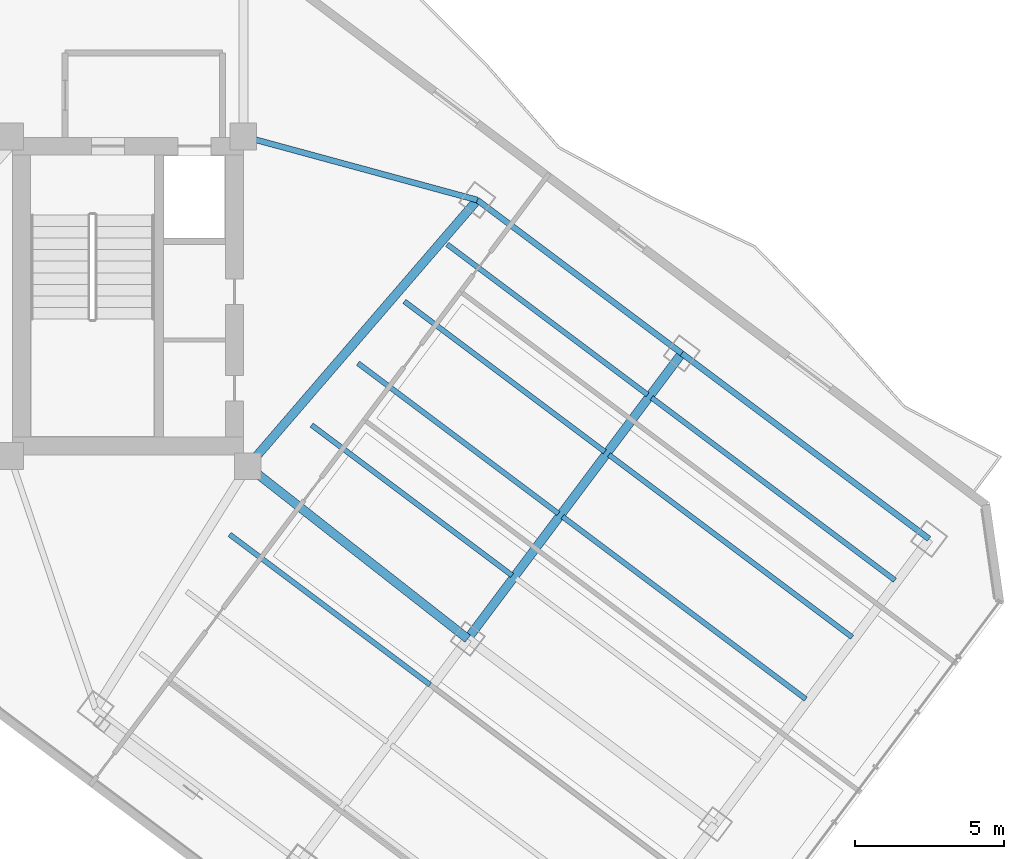
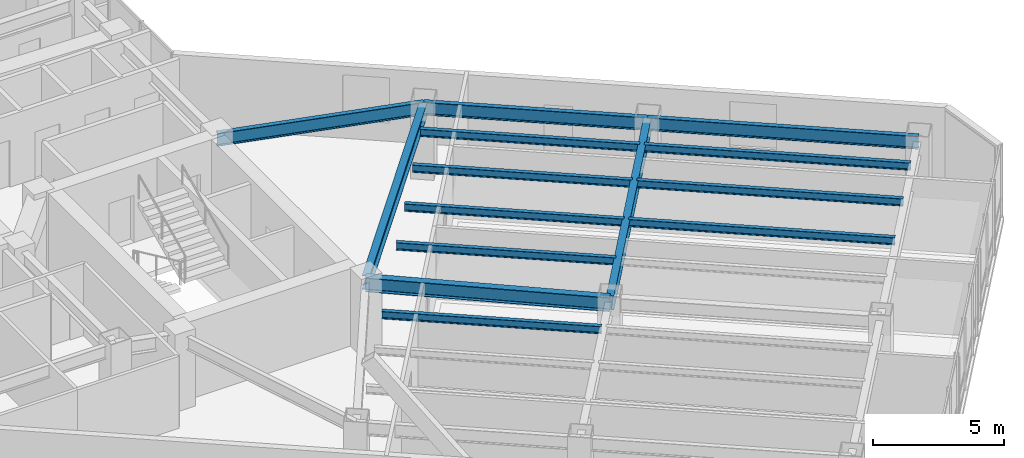
# One storey, part 11 of 31: 14 beams.
"""IFC4 building model written with IfcOpenShell, lengths in metres."""

from ifc_helpers import new_model, si_unit, direction, frame, origin, origin_2d, place, context, subcontext, project, spatial, i_section, extrude, material, material_profile, profile_set, type_object, element, save


model = new_model("IFC4")

# Units and contexts
model_context = context("Model", 3, precision=1e-05, world=origin(), true_north=direction((0.0, 1.0)))
body_context = subcontext(model_context, "Body", "Model", "MODEL_VIEW")
ifc_project = project(units=[si_unit("LENGTHUNIT", "METRE"), si_unit("AREAUNIT", "SQUARE_METRE"), si_unit("VOLUMEUNIT", "CUBIC_METRE"), si_unit("PLANEANGLEUNIT", "RADIAN"), si_unit("MASSUNIT", "GRAM", prefix="KILO")], contexts=[model_context])

# Site, building, storey
site_placement = place(None, origin())
site = spatial("IfcSite", under=ifc_project, at=site_placement, CompositionType="ELEMENT")
building_placement = place(site_placement, origin())
building = spatial("IfcBuilding", under=site, at=building_placement, Name="Hatsunagi Terrace Concourse", CompositionType="ELEMENT")
storey_placement = place(building_placement, frame((0.0, 0.0, 122.85009765625)))
storey = spatial("IfcBuildingStorey", under=building, at=storey_placement, Name="L32", CompositionType="ELEMENT", Elevation=122.85009765625)

# Beams
ifc_material_1 = material(Name="Steel SN490B", Category="steel")
ifc_material_profile_1 = material_profile(ifc_material_1, i_section(OverallWidth=0.175048828125, OverallDepth=0.35009765625, WebThickness=0.007080078125, FlangeThickness=0.010986328125, FilletRadius=0.012939453125, at=origin_2d()), Name="H-350x175x7x11")
ifc_profile_set_1 = profile_set([ifc_material_profile_1], Name="Steel SN490B")
beam_type_1 = type_object("IfcBeamType", Name="HotelJoist_H_350x175", PredefinedType="JOIST", material=ifc_profile_set_1)
for number, where, z_axis, x_axis, name in (
    (1, (43.18798828125, 21.908935546875, 3.1748046875), (0.800003475366, -0.59999536615, 0.0), (0.59999536615, 0.800003475366, 0.0), "Beam J-02 J-L32-SE-2-96"),
    (2, (45.947998046875, 25.589111328125, 3.1748046875), (0.799989573921, -0.600013901187, 0.0), (0.600013901187, 0.799989573921, 0.0), "Beam J-02 J-L32-SE-2-142"),
    (3, (47.508056640625, 27.6689453125, 3.1748046875), (0.800003475366, -0.59999536615, 0.0), (0.59999536615, 0.800003475366, 0.0), "Beam J-02 J-L32-SE-2-168"),
    (4, (49.068115234375, 29.7490234375, 3.1748046875), (0.799989573921, -0.600013901187, 0.0), (0.600013901187, 0.799989573921, 0.0), "Beam J-02 J-L32-SE-2-194"),
    (5, (50.508056640625, 31.6689453125, 3.1748046875), (0.800003475366, -0.59999536615, 0.0), (0.59999536615, 0.800003475366, 0.0), "Beam J-02 J-L32-SE-2-218"),
):
    element("IfcBeam", number, at=place(storey_placement, frame(where, z_axis=z_axis, x_axis=x_axis)), inside=storey, type_object=beam_type_1, Name=name, PredefinedType="JOIST", context=body_context, shape_type="SweptSolid", body=[
        extrude(i_section(OverallWidth=0.175048828125, OverallDepth=0.35009765625, WebThickness=0.007080078125, FlangeThickness=0.010986328125, FilletRadius=0.012939453125, at=origin_2d()), origin(), (0.0, 0.0, 1.0), 8.429931640625),
    ])
beam_1_placement = place(storey_placement, frame((54.387939453125, 22.509033203125, 3.1748046875), z_axis=(0.800005727586, -0.599992363142, 0.0), x_axis=(0.599992363142, 0.800005727586, 0.0)))
element("IfcBeam", 6, at=beam_1_placement, inside=storey, type_object=beam_type_1, Name="Beam J-02 J-L32-SE-3-168", PredefinedType="JOIST", context=body_context, shape_type="SweptSolid", body=[
    extrude(i_section(OverallWidth=0.175048828125, OverallDepth=0.35009765625, WebThickness=0.007080078125, FlangeThickness=0.010986328125, FilletRadius=0.012939453125, at=origin_2d()), origin(), (0.0, 0.0, 1.0), 10.22998046875),
])
beam_2_placement = place(storey_placement, frame((55.947998046875, 24.589111328125, 3.1748046875), z_axis=(0.799994272423, -0.600007636694, 0.0), x_axis=(0.600007636694, 0.799994272423, 0.0)))
element("IfcBeam", 7, at=beam_2_placement, inside=storey, type_object=beam_type_1, Name="Beam J-02 J-L32-SE-3-194", PredefinedType="JOIST", context=body_context, shape_type="SweptSolid", body=[
    extrude(i_section(OverallWidth=0.175048828125, OverallDepth=0.35009765625, WebThickness=0.007080078125, FlangeThickness=0.010986328125, FilletRadius=0.012939453125, at=origin_2d()), origin(), (0.0, 0.0, 1.0), 10.230224609375),
])
beam_3_placement = place(storey_placement, frame((57.387939453125, 26.509033203125, 3.1748046875), z_axis=(0.800005727586, -0.599992363142, 0.0), x_axis=(0.599992363142, 0.800005727586, 0.0)))
element("IfcBeam", 8, at=beam_3_placement, inside=storey, type_object=beam_type_1, Name="Beam J-02 J-L32-SE-3-218", PredefinedType="JOIST", context=body_context, shape_type="SweptSolid", body=[
    extrude(i_section(OverallWidth=0.175048828125, OverallDepth=0.35009765625, WebThickness=0.007080078125, FlangeThickness=0.010986328125, FilletRadius=0.012939453125, at=origin_2d()), origin(), (0.0, 0.0, 1.0), 10.22998046875),
])
ifc_material_2 = material(Name="Steel SN490B", Category="steel")
ifc_material_profile_2 = material_profile(ifc_material_2, i_section(OverallWidth=0.300048828125, OverallDepth=0.64990234375, WebThickness=0.012939453125, FlangeThickness=0.02197265625, FilletRadius=0.01806640625, at=origin_2d()), Name="H-650x300x13x22")
ifc_profile_set_2 = profile_set([ifc_material_profile_2], Name="Steel SN490B")
beam_type_2 = type_object("IfcBeamType", Name="OfficeLowGirder_H_650x300", PredefinedType="BEAM", material=ifc_profile_set_2)
beam_4_placement = place(storey_placement, frame((43.800048828125, 24.199951171875, 3.02490234375), z_axis=(0.652739101421, 0.757582777969, 0.0), x_axis=(-0.757582777969, 0.652739101421, 0.0)))
element("IfcBeam", 9, at=beam_4_placement, inside=storey, type_object=beam_type_2, Name="Beam G-05 BM-L32-SET-1B", PredefinedType="BEAM", context=body_context, shape_type="SweptSolid", body=[
    extrude(i_section(OverallWidth=0.300048828125, OverallDepth=0.64990234375, WebThickness=0.012939453125, FlangeThickness=0.02197265625, FilletRadius=0.01806640625, at=origin_2d()), origin(), (0.0, 0.0, 1.0), 11.8271484375),
])
beam_5_placement = place(storey_placement, frame((43.800048828125, 24.199951171875, 3.02490234375), z_axis=(0.787049441068, -0.616889923175, 0.0), x_axis=(0.616889923175, 0.787049441068, 0.0)))
element("IfcBeam", 10, at=beam_5_placement, inside=storey, type_object=beam_type_2, Name="Beam G-05 BM-L32-SE-M2", PredefinedType="BEAM", context=body_context, shape_type="SweptSolid", body=[
    extrude(i_section(OverallWidth=0.300048828125, OverallDepth=0.64990234375, WebThickness=0.012939453125, FlangeThickness=0.02197265625, FilletRadius=0.01806640625, at=origin_2d()), origin(), (0.0, 0.0, 1.0), 9.402099609375),
])
beam_6_placement = place(storey_placement, frame((51.199951171875, 18.39990234375, 3.02490234375), z_axis=(0.59999348959, 0.800004882766, 0.0), x_axis=(-0.800004882766, 0.59999348959, 0.0)))
element("IfcBeam", 11, at=beam_6_placement, inside=storey, type_object=beam_type_2, Name="Beam G-05 BM-L32-SET-2B", PredefinedType="BEAM", context=body_context, shape_type="SweptSolid", body=[
    extrude(i_section(OverallWidth=0.300048828125, OverallDepth=0.64990234375, WebThickness=0.012939453125, FlangeThickness=0.02197265625, FilletRadius=0.01806640625, at=origin_2d()), origin(), (0.0, 0.0, 1.0), 12.0),
])
ifc_material_3 = material(Name="Steel SN490B", Category="steel")
ifc_material_profile_3 = material_profile(ifc_material_3, i_section(OverallWidth=0.199951171875, OverallDepth=0.60009765625, WebThickness=0.010986328125, FlangeThickness=0.01708984375, FilletRadius=0.01806640625, at=origin_2d()), Name="H-600x200x11x17")
ifc_profile_set_3 = profile_set([ifc_material_profile_3], Name="Steel SN490B")
beam_type_3 = type_object("IfcBeamType", Name="PerimeterSpandrel_H_600x200", PredefinedType="SPANDREL", material=ifc_profile_set_3)
beam_7_placement = place(storey_placement, frame((43.64990234375, 35.300048828125, 3.0498046875), z_axis=(0.964958359286, -0.262403057994, 0.0), x_axis=(0.262403057994, 0.964958359286, 0.0)))
element("IfcBeam", 12, at=beam_7_placement, inside=storey, type_object=beam_type_3, Name="Beam SP-01 BM-L32-SE-NE0", PredefinedType="SPANDREL", context=body_context, shape_type="SweptSolid", body=[
    extrude(i_section(OverallWidth=0.199951171875, OverallDepth=0.60009765625, WebThickness=0.010986328125, FlangeThickness=0.01708984375, FilletRadius=0.01806640625, at=origin_2d()), origin(), (0.0, 0.0, 1.0), 8.156005859375),
])
beam_8_placement = place(storey_placement, frame((51.52001953125, 33.159912109375, 3.0498046875), z_axis=(0.8, -0.6, 0.0), x_axis=(0.6, 0.8, 0.0)))
element("IfcBeam", 13, at=beam_8_placement, inside=storey, type_object=beam_type_3, Name="Beam SP-01 BM-L32-SE-NE2", PredefinedType="SPANDREL", context=body_context, shape_type="SweptSolid", body=[
    extrude(i_section(OverallWidth=0.199951171875, OverallDepth=0.60009765625, WebThickness=0.010986328125, FlangeThickness=0.01708984375, FilletRadius=0.01806640625, at=origin_2d()), origin(), (0.0, 0.0, 1.0), 8.599853515625),
])
beam_9_placement = place(storey_placement, frame((58.39990234375, 28.0, 3.0498046875), z_axis=(0.800002816985, -0.599996244001, 0.0), x_axis=(0.599996244001, 0.800002816985, 0.0)))
element("IfcBeam", 14, at=beam_9_placement, inside=storey, type_object=beam_type_3, Name="Beam SP-01 BM-L32-SE-NE3", PredefinedType="SPANDREL", context=body_context, shape_type="SweptSolid", body=[
    extrude(i_section(OverallWidth=0.199951171875, OverallDepth=0.60009765625, WebThickness=0.010986328125, FlangeThickness=0.01708984375, FilletRadius=0.01806640625, at=origin_2d()), origin(), (0.0, 0.0, 1.0), 10.400146484375),
])

save(model, "model.ifc")
